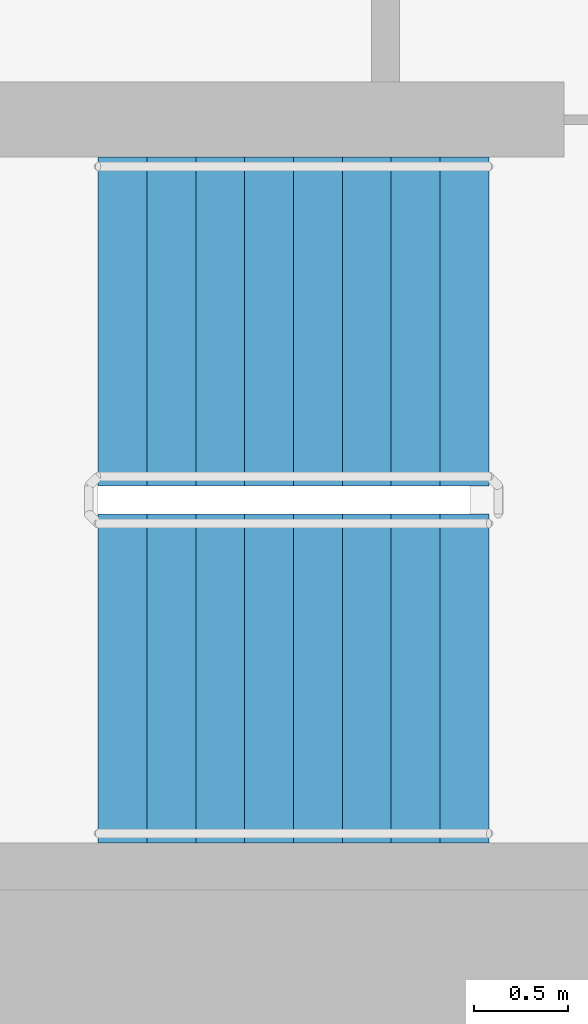
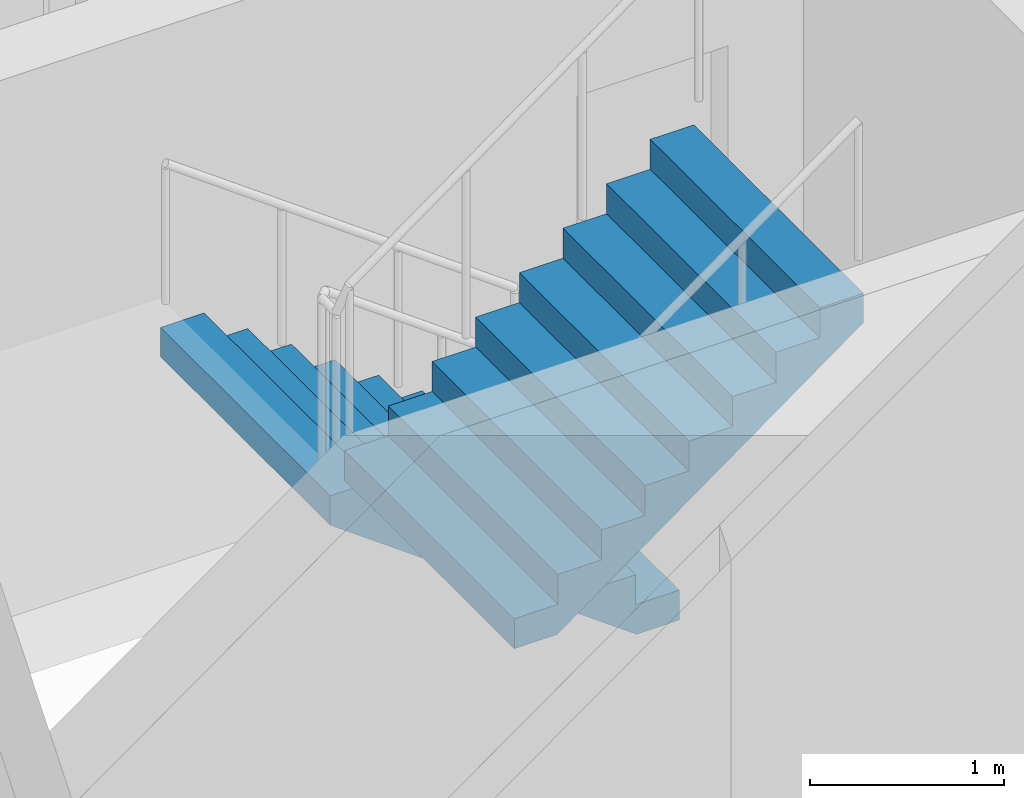
# One storey, part 15 of 21: 2 stair flights, 1 element without a shape of its own.
"""IFC4 building model written with IfcOpenShell, lengths in metres."""

from ifc_helpers import new_model, si_unit, direction, frame, origin, place, context, subcontext, project, spatial, faceted_brep, material, type_object, element, aggregate, save


model = new_model("IFC4")

# Units and contexts
model_context = context("Model", 3, precision=1e-05, world=origin(), true_north=direction((0.0, 1.0)))
body_context = subcontext(model_context, "Body", "Model", "MODEL_VIEW")
ifc_project = project(units=[si_unit("LENGTHUNIT", "METRE"), si_unit("AREAUNIT", "SQUARE_METRE"), si_unit("VOLUMEUNIT", "CUBIC_METRE"), si_unit("PLANEANGLEUNIT", "RADIAN"), si_unit("MASSUNIT", "GRAM", prefix="KILO")], contexts=[model_context])

# Site, building, storey
site_placement = place(None, origin())
site = spatial("IfcSite", under=ifc_project, at=site_placement, CompositionType="ELEMENT")
building_placement = place(site_placement, origin())
building = spatial("IfcBuilding", under=site, at=building_placement, Name="Ipe Terrace Towers", CompositionType="ELEMENT")
storey_placement = place(building_placement, frame((0.0, 0.0, 80.0)))
storey = spatial("IfcBuildingStorey", under=building, at=storey_placement, Name="L21", CompositionType="ELEMENT", Elevation=80.0)

# Stair, stair flights
ifc_material_1 = material(Name="Concrete C30/37", Category="concrete")
stair_type = type_object("IfcStairType", Name="Protected exit stair", PredefinedType="HALF_TURN_STAIR", material=ifc_material_1)
stair_placement = place(storey_placement, origin())
stair = element("IfcStair", 1, at=stair_placement, inside=storey, type_object=stair_type, Name="L21 Exit stair T1-C2", PredefinedType="HALF_TURN_STAIR")
ifc_material_2 = material(Name="Concrete C30/37", Category="concrete")
stair_flight_type = type_object("IfcStairFlightType", Name="Exit stair flight 1750", PredefinedType="STRAIGHT", material=ifc_material_2)
stair_flight_1_placement = place(storey_placement, frame((-45.699951171875, -2.77490234375, 0.0), z_axis=(0.0, 0.0, 1.0), x_axis=(-1.0, 0.0, 0.0)))
stair_flight_1 = element("IfcStairFlight", 2, at=stair_flight_1_placement, type_object=stair_flight_type, Name="T1-ST2 flight 1", NumberOfRisers=9, NumberOfTreads=8, PredefinedType="STRAIGHT", RiserHeight=0.188888889, TreadLength=0.26, context=body_context, shape_type="Brep", body=[
    faceted_brep([(0.255126953125, -0.875, 0.0), (2.080078125, -0.875, 1.325927734375), (2.080078125, -0.875, 1.51123046875), (1.820068359375, -0.875, 1.51123046875), (1.820068359375, -0.875, 1.322265625), (1.56005859375, -0.875, 1.322265625), (1.56005859375, -0.875, 1.13330078125), (1.300048828125, -0.875, 1.13330078125), (1.300048828125, -0.875, 0.9443359375), (1.0400390625, -0.875, 0.9443359375), (1.0400390625, -0.875, 0.755615234375), (0.780029296875, -0.875, 0.755615234375), (0.780029296875, -0.875, 0.566650390625), (0.52001953125, -0.875, 0.566650390625), (0.52001953125, -0.875, 0.377685546875), (0.260009765625, -0.875, 0.377685546875), (0.260009765625, -0.875, 0.18896484375), (0.0, -0.875, 0.18896484375), (0.0, -0.875, 0.0), (0.0, 0.875, 0.0), (0.0, 0.875, 0.18896484375), (0.260009765625, 0.875, 0.18896484375), (0.260009765625, 0.875, 0.377685546875), (0.52001953125, 0.875, 0.377685546875), (0.52001953125, 0.875, 0.566650390625), (0.780029296875, 0.875, 0.566650390625), (0.780029296875, 0.875, 0.755615234375), (1.0400390625, 0.875, 0.755615234375), (1.0400390625, 0.875, 0.9443359375), (1.300048828125, 0.875, 0.9443359375), (1.300048828125, 0.875, 1.13330078125), (1.56005859375, 0.875, 1.13330078125), (1.56005859375, 0.875, 1.322265625), (1.820068359375, 0.875, 1.322265625), (1.820068359375, 0.875, 1.51123046875), (2.080078125, 0.875, 1.51123046875), (2.080078125, 0.875, 1.325927734375), (0.255126953125, 0.875, 0.0), (0.0, -0.300048828125, 0.18896484375), (0.0, -0.1201171875, 0.18896484375), (0.0, -0.06005859375, 0.18896484375), (0.0, -0.030029296875, 0.18896484375), (0.0, -0.010009765625, 0.18896484375), (0.0, 0.0, 0.18896484375), (0.0, 0.010009765625, 0.18896484375), (0.0, 0.030029296875, 0.18896484375), (0.0, 0.06005859375, 0.18896484375), (0.0, 0.1201171875, 0.18896484375), (0.0, 0.300048828125, 0.18896484375), (0.0, 0.300048828125, 0.0), (0.0, 0.1201171875, 0.0), (0.0, 0.06005859375, 0.0), (0.0, 0.030029296875, 0.0), (0.0, 0.010009765625, 0.0), (0.0, 0.0, 0.0), (0.0, -0.010009765625, 0.0), (0.0, -0.030029296875, 0.0), (0.0, -0.06005859375, 0.0), (0.0, -0.1201171875, 0.0), (0.0, -0.300048828125, 0.0), (0.260009765625, -0.300048828125, 0.18896484375), (0.260009765625, -0.1201171875, 0.18896484375), (0.260009765625, -0.06005859375, 0.18896484375), (0.260009765625, -0.030029296875, 0.18896484375), (0.260009765625, -0.010009765625, 0.18896484375), (0.260009765625, 0.0, 0.18896484375), (0.260009765625, 0.010009765625, 0.18896484375), (0.260009765625, 0.030029296875, 0.18896484375), (0.260009765625, 0.06005859375, 0.18896484375), (0.260009765625, 0.1201171875, 0.18896484375), (0.260009765625, 0.300048828125, 0.18896484375), (0.260009765625, -0.300048828125, 0.377685546875), (0.260009765625, -0.1201171875, 0.377685546875), (0.260009765625, -0.06005859375, 0.377685546875), (0.260009765625, -0.030029296875, 0.377685546875), (0.260009765625, -0.010009765625, 0.377685546875), (0.260009765625, 0.0, 0.377685546875), (0.260009765625, 0.010009765625, 0.377685546875), (0.260009765625, 0.030029296875, 0.377685546875), (0.260009765625, 0.06005859375, 0.377685546875), (0.260009765625, 0.1201171875, 0.377685546875), (0.260009765625, 0.300048828125, 0.377685546875), (0.52001953125, -0.300048828125, 0.377685546875), (0.52001953125, -0.1201171875, 0.377685546875), (0.52001953125, -0.06005859375, 0.377685546875), (0.52001953125, -0.030029296875, 0.377685546875), (0.52001953125, -0.010009765625, 0.377685546875), (0.52001953125, 0.0, 0.377685546875), (0.52001953125, 0.010009765625, 0.377685546875), (0.52001953125, 0.030029296875, 0.377685546875), (0.52001953125, 0.06005859375, 0.377685546875), (0.52001953125, 0.1201171875, 0.377685546875), (0.52001953125, 0.300048828125, 0.377685546875), (0.52001953125, -0.300048828125, 0.566650390625), (0.52001953125, -0.1201171875, 0.566650390625), (0.52001953125, -0.06005859375, 0.566650390625), (0.52001953125, -0.030029296875, 0.566650390625), (0.52001953125, -0.010009765625, 0.566650390625), (0.52001953125, 0.0, 0.566650390625), (0.52001953125, 0.010009765625, 0.566650390625), (0.52001953125, 0.030029296875, 0.566650390625), (0.52001953125, 0.06005859375, 0.566650390625), (0.52001953125, 0.1201171875, 0.566650390625), (0.52001953125, 0.300048828125, 0.566650390625), (0.780029296875, -0.300048828125, 0.566650390625), (0.780029296875, -0.1201171875, 0.566650390625), (0.780029296875, -0.06005859375, 0.566650390625), (0.780029296875, -0.030029296875, 0.566650390625), (0.780029296875, -0.010009765625, 0.566650390625), (0.780029296875, 0.0, 0.566650390625), (0.780029296875, 0.010009765625, 0.566650390625), (0.780029296875, 0.030029296875, 0.566650390625), (0.780029296875, 0.06005859375, 0.566650390625), (0.780029296875, 0.1201171875, 0.566650390625), (0.780029296875, 0.300048828125, 0.566650390625), (0.780029296875, -0.300048828125, 0.755615234375), (0.780029296875, -0.1201171875, 0.755615234375), (0.780029296875, -0.06005859375, 0.755615234375), (0.780029296875, -0.030029296875, 0.755615234375), (0.780029296875, -0.010009765625, 0.755615234375), (0.780029296875, 0.0, 0.755615234375), (0.780029296875, 0.010009765625, 0.755615234375), (0.780029296875, 0.030029296875, 0.755615234375), (0.780029296875, 0.06005859375, 0.755615234375), (0.780029296875, 0.1201171875, 0.755615234375), (0.780029296875, 0.300048828125, 0.755615234375), (1.0400390625, -0.300048828125, 0.755615234375), (1.0400390625, -0.1201171875, 0.755615234375), (1.0400390625, -0.06005859375, 0.755615234375), (1.0400390625, -0.030029296875, 0.755615234375), (1.0400390625, -0.010009765625, 0.755615234375), (1.0400390625, 0.0, 0.755615234375), (1.0400390625, 0.010009765625, 0.755615234375), (1.0400390625, 0.030029296875, 0.755615234375), (1.0400390625, 0.06005859375, 0.755615234375), (1.0400390625, 0.1201171875, 0.755615234375), (1.0400390625, 0.300048828125, 0.755615234375), (1.0400390625, -0.300048828125, 0.9443359375), (1.0400390625, -0.1201171875, 0.9443359375), (1.0400390625, -0.06005859375, 0.9443359375), (1.0400390625, -0.030029296875, 0.9443359375), (1.0400390625, -0.010009765625, 0.9443359375), (1.0400390625, 0.0, 0.9443359375), (1.0400390625, 0.010009765625, 0.9443359375), (1.0400390625, 0.030029296875, 0.9443359375), (1.0400390625, 0.06005859375, 0.9443359375), (1.0400390625, 0.1201171875, 0.9443359375), (1.0400390625, 0.300048828125, 0.9443359375), (1.300048828125, -0.300048828125, 0.9443359375), (1.300048828125, -0.1201171875, 0.9443359375), (1.300048828125, -0.06005859375, 0.9443359375), (1.300048828125, -0.030029296875, 0.9443359375), (1.300048828125, -0.010009765625, 0.9443359375), (1.300048828125, 0.0, 0.9443359375), (1.300048828125, 0.010009765625, 0.9443359375), (1.300048828125, 0.030029296875, 0.9443359375), (1.300048828125, 0.06005859375, 0.9443359375), (1.300048828125, 0.1201171875, 0.9443359375), (1.300048828125, 0.300048828125, 0.9443359375), (1.300048828125, -0.300048828125, 1.13330078125), (1.300048828125, -0.1201171875, 1.13330078125), (1.300048828125, -0.06005859375, 1.13330078125), (1.300048828125, -0.030029296875, 1.13330078125), (1.300048828125, -0.010009765625, 1.13330078125), (1.300048828125, 0.0, 1.13330078125), (1.300048828125, 0.010009765625, 1.13330078125), (1.300048828125, 0.030029296875, 1.13330078125), (1.300048828125, 0.06005859375, 1.13330078125), (1.300048828125, 0.1201171875, 1.13330078125), (1.300048828125, 0.300048828125, 1.13330078125), (1.56005859375, -0.300048828125, 1.13330078125), (1.56005859375, -0.1201171875, 1.13330078125), (1.56005859375, -0.06005859375, 1.13330078125), (1.56005859375, -0.030029296875, 1.13330078125), (1.56005859375, -0.010009765625, 1.13330078125), (1.56005859375, 0.0, 1.13330078125), (1.56005859375, 0.010009765625, 1.13330078125), (1.56005859375, 0.030029296875, 1.13330078125), (1.56005859375, 0.06005859375, 1.13330078125), (1.56005859375, 0.1201171875, 1.13330078125), (1.56005859375, 0.300048828125, 1.13330078125), (1.56005859375, -0.300048828125, 1.322265625), (1.56005859375, -0.1201171875, 1.322265625), (1.56005859375, -0.06005859375, 1.322265625), (1.56005859375, -0.030029296875, 1.322265625), (1.56005859375, -0.010009765625, 1.322265625), (1.56005859375, 0.0, 1.322265625), (1.56005859375, 0.010009765625, 1.322265625), (1.56005859375, 0.030029296875, 1.322265625), (1.56005859375, 0.06005859375, 1.322265625), (1.56005859375, 0.1201171875, 1.322265625), (1.56005859375, 0.300048828125, 1.322265625), (1.820068359375, -0.300048828125, 1.322265625), (1.820068359375, -0.1201171875, 1.322265625), (1.820068359375, -0.06005859375, 1.322265625), (1.820068359375, -0.030029296875, 1.322265625), (1.820068359375, -0.010009765625, 1.322265625), (1.820068359375, 0.0, 1.322265625), (1.820068359375, 0.010009765625, 1.322265625), (1.820068359375, 0.030029296875, 1.322265625), (1.820068359375, 0.06005859375, 1.322265625), (1.820068359375, 0.1201171875, 1.322265625), (1.820068359375, 0.300048828125, 1.322265625), (1.820068359375, -0.300048828125, 1.51123046875), (1.820068359375, -0.1201171875, 1.51123046875), (1.820068359375, -0.06005859375, 1.51123046875), (1.820068359375, -0.030029296875, 1.51123046875), (1.820068359375, -0.010009765625, 1.51123046875), (1.820068359375, 0.0, 1.51123046875), (1.820068359375, 0.010009765625, 1.51123046875), (1.820068359375, 0.030029296875, 1.51123046875), (1.820068359375, 0.06005859375, 1.51123046875), (1.820068359375, 0.1201171875, 1.51123046875), (1.820068359375, 0.300048828125, 1.51123046875), (2.080078125, -0.300048828125, 1.51123046875), (2.080078125, -0.1201171875, 1.51123046875), (2.080078125, -0.06005859375, 1.51123046875), (2.080078125, -0.030029296875, 1.51123046875), (2.080078125, -0.010009765625, 1.51123046875), (2.080078125, 0.0, 1.51123046875), (2.080078125, 0.010009765625, 1.51123046875), (2.080078125, 0.030029296875, 1.51123046875), (2.080078125, 0.06005859375, 1.51123046875), (2.080078125, 0.1201171875, 1.51123046875), (2.080078125, 0.300048828125, 1.51123046875), (2.080078125, -0.300048828125, 1.325927734375), (2.080078125, -0.1201171875, 1.325927734375), (2.080078125, -0.06005859375, 1.325927734375), (2.080078125, -0.030029296875, 1.325927734375), (2.080078125, -0.010009765625, 1.325927734375), (2.080078125, 0.0, 1.325927734375), (2.080078125, 0.010009765625, 1.325927734375), (2.080078125, 0.030029296875, 1.325927734375), (2.080078125, 0.06005859375, 1.325927734375), (2.080078125, 0.1201171875, 1.325927734375), (2.080078125, 0.300048828125, 1.325927734375), (0.255126953125, -0.300048828125, 0.0), (0.255126953125, -0.1201171875, 0.0), (0.255126953125, -0.06005859375, 0.0), (0.255126953125, -0.030029296875, 0.0), (0.255126953125, -0.010009765625, 0.0), (0.255126953125, 0.0, 0.0), (0.255126953125, 0.010009765625, 0.0), (0.255126953125, 0.030029296875, 0.0), (0.255126953125, 0.06005859375, 0.0), (0.255126953125, 0.1201171875, 0.0), (0.255126953125, 0.300048828125, 0.0)], [[[0, 1, 2, 3, 4, 5, 6, 7, 8, 9, 10, 11, 12, 13, 14, 15, 16, 17, 18]], [[19, 20, 21, 22, 23, 24, 25, 26, 27, 28, 29, 30, 31, 32, 33, 34, 35, 36, 37]], [[17, 38, 39, 40, 41, 42, 43, 44, 45, 46, 47, 48, 20, 19, 49, 50, 51, 52, 53, 54, 55, 56, 57, 58, 59, 18]], [[16, 60, 61, 62, 63, 64, 65, 66, 67, 68, 69, 70, 21, 20, 48, 47, 46, 45, 44, 43, 42, 41, 40, 39, 38, 17]], [[15, 71, 72, 73, 74, 75, 76, 77, 78, 79, 80, 81, 22, 21, 70, 69, 68, 67, 66, 65, 64, 63, 62, 61, 60, 16]], [[14, 82, 83, 84, 85, 86, 87, 88, 89, 90, 91, 92, 23, 22, 81, 80, 79, 78, 77, 76, 75, 74, 73, 72, 71, 15]], [[13, 93, 94, 95, 96, 97, 98, 99, 100, 101, 102, 103, 24, 23, 92, 91, 90, 89, 88, 87, 86, 85, 84, 83, 82, 14]], [[12, 104, 105, 106, 107, 108, 109, 110, 111, 112, 113, 114, 25, 24, 103, 102, 101, 100, 99, 98, 97, 96, 95, 94, 93, 13]], [[11, 115, 116, 117, 118, 119, 120, 121, 122, 123, 124, 125, 26, 25, 114, 113, 112, 111, 110, 109, 108, 107, 106, 105, 104, 12]], [[10, 126, 127, 128, 129, 130, 131, 132, 133, 134, 135, 136, 27, 26, 125, 124, 123, 122, 121, 120, 119, 118, 117, 116, 115, 11]], [[9, 137, 138, 139, 140, 141, 142, 143, 144, 145, 146, 147, 28, 27, 136, 135, 134, 133, 132, 131, 130, 129, 128, 127, 126, 10]], [[8, 148, 149, 150, 151, 152, 153, 154, 155, 156, 157, 158, 29, 28, 147, 146, 145, 144, 143, 142, 141, 140, 139, 138, 137, 9]], [[7, 159, 160, 161, 162, 163, 164, 165, 166, 167, 168, 169, 30, 29, 158, 157, 156, 155, 154, 153, 152, 151, 150, 149, 148, 8]], [[6, 170, 171, 172, 173, 174, 175, 176, 177, 178, 179, 180, 31, 30, 169, 168, 167, 166, 165, 164, 163, 162, 161, 160, 159, 7]], [[5, 181, 182, 183, 184, 185, 186, 187, 188, 189, 190, 191, 32, 31, 180, 179, 178, 177, 176, 175, 174, 173, 172, 171, 170, 6]], [[4, 192, 193, 194, 195, 196, 197, 198, 199, 200, 201, 202, 33, 32, 191, 190, 189, 188, 187, 186, 185, 184, 183, 182, 181, 5]], [[3, 203, 204, 205, 206, 207, 208, 209, 210, 211, 212, 213, 34, 33, 202, 201, 200, 199, 198, 197, 196, 195, 194, 193, 192, 4]], [[2, 214, 215, 216, 217, 218, 219, 220, 221, 222, 223, 224, 35, 34, 213, 212, 211, 210, 209, 208, 207, 206, 205, 204, 203, 3]], [[1, 225, 226, 227, 228, 229, 230, 231, 232, 233, 234, 235, 36, 35, 224, 223, 222, 221, 220, 219, 218, 217, 216, 215, 214, 2]], [[0, 236, 237, 238, 239, 240, 241, 242, 243, 244, 245, 246, 37, 36, 235, 234, 233, 232, 231, 230, 229, 228, 227, 226, 225, 1]], [[18, 59, 58, 57, 56, 55, 54, 53, 52, 51, 50, 49, 19, 37, 246, 245, 244, 243, 242, 241, 240, 239, 238, 237, 236, 0]]]),
])
stair_flight_2_placement = place(storey_placement, frame((-47.780029296875, -4.675048828125, 1.699951171875), z_axis=(0.0, 0.0, 1.0), x_axis=(1.0, 0.0, 0.0)))
stair_flight_2 = element("IfcStairFlight", 3, at=stair_flight_2_placement, type_object=stair_flight_type, Name="T1-ST2 flight 2", NumberOfRisers=9, NumberOfTreads=8, PredefinedType="STRAIGHT", RiserHeight=0.188888889, TreadLength=0.26, context=body_context, shape_type="Brep", body=[
    faceted_brep([(0.255126953125, -0.875, 0.0), (2.080078125, -0.875, 1.325927734375), (2.080078125, -0.875, 1.51123046875), (1.820068359375, -0.875, 1.51123046875), (1.820068359375, -0.875, 1.322265625), (1.56005859375, -0.875, 1.322265625), (1.56005859375, -0.875, 1.13330078125), (1.300048828125, -0.875, 1.13330078125), (1.300048828125, -0.875, 0.9443359375), (1.0400390625, -0.875, 0.9443359375), (1.0400390625, -0.875, 0.755615234375), (0.780029296875, -0.875, 0.755615234375), (0.780029296875, -0.875, 0.566650390625), (0.52001953125, -0.875, 0.566650390625), (0.52001953125, -0.875, 0.377685546875), (0.260009765625, -0.875, 0.377685546875), (0.260009765625, -0.875, 0.18896484375), (0.0, -0.875, 0.18896484375), (0.0, -0.875, 0.0), (0.0, 0.875, 0.0), (0.0, 0.875, 0.18896484375), (0.260009765625, 0.875, 0.18896484375), (0.260009765625, 0.875, 0.377685546875), (0.52001953125, 0.875, 0.377685546875), (0.52001953125, 0.875, 0.566650390625), (0.780029296875, 0.875, 0.566650390625), (0.780029296875, 0.875, 0.755615234375), (1.0400390625, 0.875, 0.755615234375), (1.0400390625, 0.875, 0.9443359375), (1.300048828125, 0.875, 0.9443359375), (1.300048828125, 0.875, 1.13330078125), (1.56005859375, 0.875, 1.13330078125), (1.56005859375, 0.875, 1.322265625), (1.820068359375, 0.875, 1.322265625), (1.820068359375, 0.875, 1.51123046875), (2.080078125, 0.875, 1.51123046875), (2.080078125, 0.875, 1.325927734375), (0.255126953125, 0.875, 0.0), (0.0, -0.300048828125, 0.18896484375), (0.0, -0.1201171875, 0.18896484375), (0.0, -0.06005859375, 0.18896484375), (0.0, -0.030029296875, 0.18896484375), (0.0, -0.010009765625, 0.18896484375), (0.0, 0.0, 0.18896484375), (0.0, 0.010009765625, 0.18896484375), (0.0, 0.030029296875, 0.18896484375), (0.0, 0.06005859375, 0.18896484375), (0.0, 0.1201171875, 0.18896484375), (0.0, 0.300048828125, 0.18896484375), (0.0, 0.300048828125, 0.0), (0.0, 0.1201171875, 0.0), (0.0, 0.06005859375, 0.0), (0.0, 0.030029296875, 0.0), (0.0, 0.010009765625, 0.0), (0.0, 0.0, 0.0), (0.0, -0.010009765625, 0.0), (0.0, -0.030029296875, 0.0), (0.0, -0.06005859375, 0.0), (0.0, -0.1201171875, 0.0), (0.0, -0.300048828125, 0.0), (0.260009765625, -0.300048828125, 0.18896484375), (0.260009765625, -0.1201171875, 0.18896484375), (0.260009765625, -0.06005859375, 0.18896484375), (0.260009765625, -0.030029296875, 0.18896484375), (0.260009765625, -0.010009765625, 0.18896484375), (0.260009765625, 0.0, 0.18896484375), (0.260009765625, 0.010009765625, 0.18896484375), (0.260009765625, 0.030029296875, 0.18896484375), (0.260009765625, 0.06005859375, 0.18896484375), (0.260009765625, 0.1201171875, 0.18896484375), (0.260009765625, 0.300048828125, 0.18896484375), (0.260009765625, -0.300048828125, 0.377685546875), (0.260009765625, -0.1201171875, 0.377685546875), (0.260009765625, -0.06005859375, 0.377685546875), (0.260009765625, -0.030029296875, 0.377685546875), (0.260009765625, -0.010009765625, 0.377685546875), (0.260009765625, 0.0, 0.377685546875), (0.260009765625, 0.010009765625, 0.377685546875), (0.260009765625, 0.030029296875, 0.377685546875), (0.260009765625, 0.06005859375, 0.377685546875), (0.260009765625, 0.1201171875, 0.377685546875), (0.260009765625, 0.300048828125, 0.377685546875), (0.52001953125, -0.300048828125, 0.377685546875), (0.52001953125, -0.1201171875, 0.377685546875), (0.52001953125, -0.06005859375, 0.377685546875), (0.52001953125, -0.030029296875, 0.377685546875), (0.52001953125, -0.010009765625, 0.377685546875), (0.52001953125, 0.0, 0.377685546875), (0.52001953125, 0.010009765625, 0.377685546875), (0.52001953125, 0.030029296875, 0.377685546875), (0.52001953125, 0.06005859375, 0.377685546875), (0.52001953125, 0.1201171875, 0.377685546875), (0.52001953125, 0.300048828125, 0.377685546875), (0.52001953125, -0.300048828125, 0.566650390625), (0.52001953125, -0.1201171875, 0.566650390625), (0.52001953125, -0.06005859375, 0.566650390625), (0.52001953125, -0.030029296875, 0.566650390625), (0.52001953125, -0.010009765625, 0.566650390625), (0.52001953125, 0.0, 0.566650390625), (0.52001953125, 0.010009765625, 0.566650390625), (0.52001953125, 0.030029296875, 0.566650390625), (0.52001953125, 0.06005859375, 0.566650390625), (0.52001953125, 0.1201171875, 0.566650390625), (0.52001953125, 0.300048828125, 0.566650390625), (0.780029296875, -0.300048828125, 0.566650390625), (0.780029296875, -0.1201171875, 0.566650390625), (0.780029296875, -0.06005859375, 0.566650390625), (0.780029296875, -0.030029296875, 0.566650390625), (0.780029296875, -0.010009765625, 0.566650390625), (0.780029296875, 0.0, 0.566650390625), (0.780029296875, 0.010009765625, 0.566650390625), (0.780029296875, 0.030029296875, 0.566650390625), (0.780029296875, 0.06005859375, 0.566650390625), (0.780029296875, 0.1201171875, 0.566650390625), (0.780029296875, 0.300048828125, 0.566650390625), (0.780029296875, -0.300048828125, 0.755615234375), (0.780029296875, -0.1201171875, 0.755615234375), (0.780029296875, -0.06005859375, 0.755615234375), (0.780029296875, -0.030029296875, 0.755615234375), (0.780029296875, -0.010009765625, 0.755615234375), (0.780029296875, 0.0, 0.755615234375), (0.780029296875, 0.010009765625, 0.755615234375), (0.780029296875, 0.030029296875, 0.755615234375), (0.780029296875, 0.06005859375, 0.755615234375), (0.780029296875, 0.1201171875, 0.755615234375), (0.780029296875, 0.300048828125, 0.755615234375), (1.0400390625, -0.300048828125, 0.755615234375), (1.0400390625, -0.1201171875, 0.755615234375), (1.0400390625, -0.06005859375, 0.755615234375), (1.0400390625, -0.030029296875, 0.755615234375), (1.0400390625, -0.010009765625, 0.755615234375), (1.0400390625, 0.0, 0.755615234375), (1.0400390625, 0.010009765625, 0.755615234375), (1.0400390625, 0.030029296875, 0.755615234375), (1.0400390625, 0.06005859375, 0.755615234375), (1.0400390625, 0.1201171875, 0.755615234375), (1.0400390625, 0.300048828125, 0.755615234375), (1.0400390625, -0.300048828125, 0.9443359375), (1.0400390625, -0.1201171875, 0.9443359375), (1.0400390625, -0.06005859375, 0.9443359375), (1.0400390625, -0.030029296875, 0.9443359375), (1.0400390625, -0.010009765625, 0.9443359375), (1.0400390625, 0.0, 0.9443359375), (1.0400390625, 0.010009765625, 0.9443359375), (1.0400390625, 0.030029296875, 0.9443359375), (1.0400390625, 0.06005859375, 0.9443359375), (1.0400390625, 0.1201171875, 0.9443359375), (1.0400390625, 0.300048828125, 0.9443359375), (1.300048828125, -0.300048828125, 0.9443359375), (1.300048828125, -0.1201171875, 0.9443359375), (1.300048828125, -0.06005859375, 0.9443359375), (1.300048828125, -0.030029296875, 0.9443359375), (1.300048828125, -0.010009765625, 0.9443359375), (1.300048828125, 0.0, 0.9443359375), (1.300048828125, 0.010009765625, 0.9443359375), (1.300048828125, 0.030029296875, 0.9443359375), (1.300048828125, 0.06005859375, 0.9443359375), (1.300048828125, 0.1201171875, 0.9443359375), (1.300048828125, 0.300048828125, 0.9443359375), (1.300048828125, -0.300048828125, 1.13330078125), (1.300048828125, -0.1201171875, 1.13330078125), (1.300048828125, -0.06005859375, 1.13330078125), (1.300048828125, -0.030029296875, 1.13330078125), (1.300048828125, -0.010009765625, 1.13330078125), (1.300048828125, 0.0, 1.13330078125), (1.300048828125, 0.010009765625, 1.13330078125), (1.300048828125, 0.030029296875, 1.13330078125), (1.300048828125, 0.06005859375, 1.13330078125), (1.300048828125, 0.1201171875, 1.13330078125), (1.300048828125, 0.300048828125, 1.13330078125), (1.56005859375, -0.300048828125, 1.13330078125), (1.56005859375, -0.1201171875, 1.13330078125), (1.56005859375, -0.06005859375, 1.13330078125), (1.56005859375, -0.030029296875, 1.13330078125), (1.56005859375, -0.010009765625, 1.13330078125), (1.56005859375, 0.0, 1.13330078125), (1.56005859375, 0.010009765625, 1.13330078125), (1.56005859375, 0.030029296875, 1.13330078125), (1.56005859375, 0.06005859375, 1.13330078125), (1.56005859375, 0.1201171875, 1.13330078125), (1.56005859375, 0.300048828125, 1.13330078125), (1.56005859375, -0.300048828125, 1.322265625), (1.56005859375, -0.1201171875, 1.322265625), (1.56005859375, -0.06005859375, 1.322265625), (1.56005859375, -0.030029296875, 1.322265625), (1.56005859375, -0.010009765625, 1.322265625), (1.56005859375, 0.0, 1.322265625), (1.56005859375, 0.010009765625, 1.322265625), (1.56005859375, 0.030029296875, 1.322265625), (1.56005859375, 0.06005859375, 1.322265625), (1.56005859375, 0.1201171875, 1.322265625), (1.56005859375, 0.300048828125, 1.322265625), (1.820068359375, -0.300048828125, 1.322265625), (1.820068359375, -0.1201171875, 1.322265625), (1.820068359375, -0.06005859375, 1.322265625), (1.820068359375, -0.030029296875, 1.322265625), (1.820068359375, -0.010009765625, 1.322265625), (1.820068359375, 0.0, 1.322265625), (1.820068359375, 0.010009765625, 1.322265625), (1.820068359375, 0.030029296875, 1.322265625), (1.820068359375, 0.06005859375, 1.322265625), (1.820068359375, 0.1201171875, 1.322265625), (1.820068359375, 0.300048828125, 1.322265625), (1.820068359375, -0.300048828125, 1.51123046875), (1.820068359375, -0.1201171875, 1.51123046875), (1.820068359375, -0.06005859375, 1.51123046875), (1.820068359375, -0.030029296875, 1.51123046875), (1.820068359375, -0.010009765625, 1.51123046875), (1.820068359375, 0.0, 1.51123046875), (1.820068359375, 0.010009765625, 1.51123046875), (1.820068359375, 0.030029296875, 1.51123046875), (1.820068359375, 0.06005859375, 1.51123046875), (1.820068359375, 0.1201171875, 1.51123046875), (1.820068359375, 0.300048828125, 1.51123046875), (2.080078125, -0.300048828125, 1.51123046875), (2.080078125, -0.1201171875, 1.51123046875), (2.080078125, -0.06005859375, 1.51123046875), (2.080078125, -0.030029296875, 1.51123046875), (2.080078125, -0.010009765625, 1.51123046875), (2.080078125, 0.0, 1.51123046875), (2.080078125, 0.010009765625, 1.51123046875), (2.080078125, 0.030029296875, 1.51123046875), (2.080078125, 0.06005859375, 1.51123046875), (2.080078125, 0.1201171875, 1.51123046875), (2.080078125, 0.300048828125, 1.51123046875), (2.080078125, -0.300048828125, 1.325927734375), (2.080078125, -0.1201171875, 1.325927734375), (2.080078125, -0.06005859375, 1.325927734375), (2.080078125, -0.030029296875, 1.325927734375), (2.080078125, -0.010009765625, 1.325927734375), (2.080078125, 0.0, 1.325927734375), (2.080078125, 0.010009765625, 1.325927734375), (2.080078125, 0.030029296875, 1.325927734375), (2.080078125, 0.06005859375, 1.325927734375), (2.080078125, 0.1201171875, 1.325927734375), (2.080078125, 0.300048828125, 1.325927734375), (0.255126953125, -0.300048828125, 0.0), (0.255126953125, -0.1201171875, 0.0), (0.255126953125, -0.06005859375, 0.0), (0.255126953125, -0.030029296875, 0.0), (0.255126953125, -0.010009765625, 0.0), (0.255126953125, 0.0, 0.0), (0.255126953125, 0.010009765625, 0.0), (0.255126953125, 0.030029296875, 0.0), (0.255126953125, 0.06005859375, 0.0), (0.255126953125, 0.1201171875, 0.0), (0.255126953125, 0.300048828125, 0.0)], [[[0, 1, 2, 3, 4, 5, 6, 7, 8, 9, 10, 11, 12, 13, 14, 15, 16, 17, 18]], [[19, 20, 21, 22, 23, 24, 25, 26, 27, 28, 29, 30, 31, 32, 33, 34, 35, 36, 37]], [[17, 38, 39, 40, 41, 42, 43, 44, 45, 46, 47, 48, 20, 19, 49, 50, 51, 52, 53, 54, 55, 56, 57, 58, 59, 18]], [[16, 60, 61, 62, 63, 64, 65, 66, 67, 68, 69, 70, 21, 20, 48, 47, 46, 45, 44, 43, 42, 41, 40, 39, 38, 17]], [[15, 71, 72, 73, 74, 75, 76, 77, 78, 79, 80, 81, 22, 21, 70, 69, 68, 67, 66, 65, 64, 63, 62, 61, 60, 16]], [[14, 82, 83, 84, 85, 86, 87, 88, 89, 90, 91, 92, 23, 22, 81, 80, 79, 78, 77, 76, 75, 74, 73, 72, 71, 15]], [[13, 93, 94, 95, 96, 97, 98, 99, 100, 101, 102, 103, 24, 23, 92, 91, 90, 89, 88, 87, 86, 85, 84, 83, 82, 14]], [[12, 104, 105, 106, 107, 108, 109, 110, 111, 112, 113, 114, 25, 24, 103, 102, 101, 100, 99, 98, 97, 96, 95, 94, 93, 13]], [[11, 115, 116, 117, 118, 119, 120, 121, 122, 123, 124, 125, 26, 25, 114, 113, 112, 111, 110, 109, 108, 107, 106, 105, 104, 12]], [[10, 126, 127, 128, 129, 130, 131, 132, 133, 134, 135, 136, 27, 26, 125, 124, 123, 122, 121, 120, 119, 118, 117, 116, 115, 11]], [[9, 137, 138, 139, 140, 141, 142, 143, 144, 145, 146, 147, 28, 27, 136, 135, 134, 133, 132, 131, 130, 129, 128, 127, 126, 10]], [[8, 148, 149, 150, 151, 152, 153, 154, 155, 156, 157, 158, 29, 28, 147, 146, 145, 144, 143, 142, 141, 140, 139, 138, 137, 9]], [[7, 159, 160, 161, 162, 163, 164, 165, 166, 167, 168, 169, 30, 29, 158, 157, 156, 155, 154, 153, 152, 151, 150, 149, 148, 8]], [[6, 170, 171, 172, 173, 174, 175, 176, 177, 178, 179, 180, 31, 30, 169, 168, 167, 166, 165, 164, 163, 162, 161, 160, 159, 7]], [[5, 181, 182, 183, 184, 185, 186, 187, 188, 189, 190, 191, 32, 31, 180, 179, 178, 177, 176, 175, 174, 173, 172, 171, 170, 6]], [[4, 192, 193, 194, 195, 196, 197, 198, 199, 200, 201, 202, 33, 32, 191, 190, 189, 188, 187, 186, 185, 184, 183, 182, 181, 5]], [[3, 203, 204, 205, 206, 207, 208, 209, 210, 211, 212, 213, 34, 33, 202, 201, 200, 199, 198, 197, 196, 195, 194, 193, 192, 4]], [[2, 214, 215, 216, 217, 218, 219, 220, 221, 222, 223, 224, 35, 34, 213, 212, 211, 210, 209, 208, 207, 206, 205, 204, 203, 3]], [[1, 225, 226, 227, 228, 229, 230, 231, 232, 233, 234, 235, 36, 35, 224, 223, 222, 221, 220, 219, 218, 217, 216, 215, 214, 2]], [[0, 236, 237, 238, 239, 240, 241, 242, 243, 244, 245, 246, 37, 36, 235, 234, 233, 232, 231, 230, 229, 228, 227, 226, 225, 1]], [[18, 59, 58, 57, 56, 55, 54, 53, 52, 51, 50, 49, 19, 37, 246, 245, 244, 243, 242, 241, 240, 239, 238, 237, 236, 0]]]),
])
aggregate(stair, [stair_flight_1, stair_flight_2])

save(model, "model.ifc")
